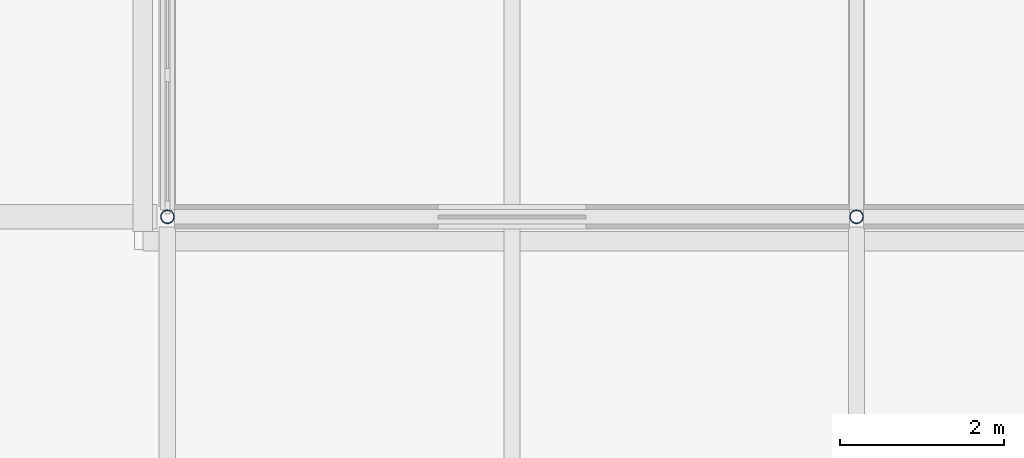
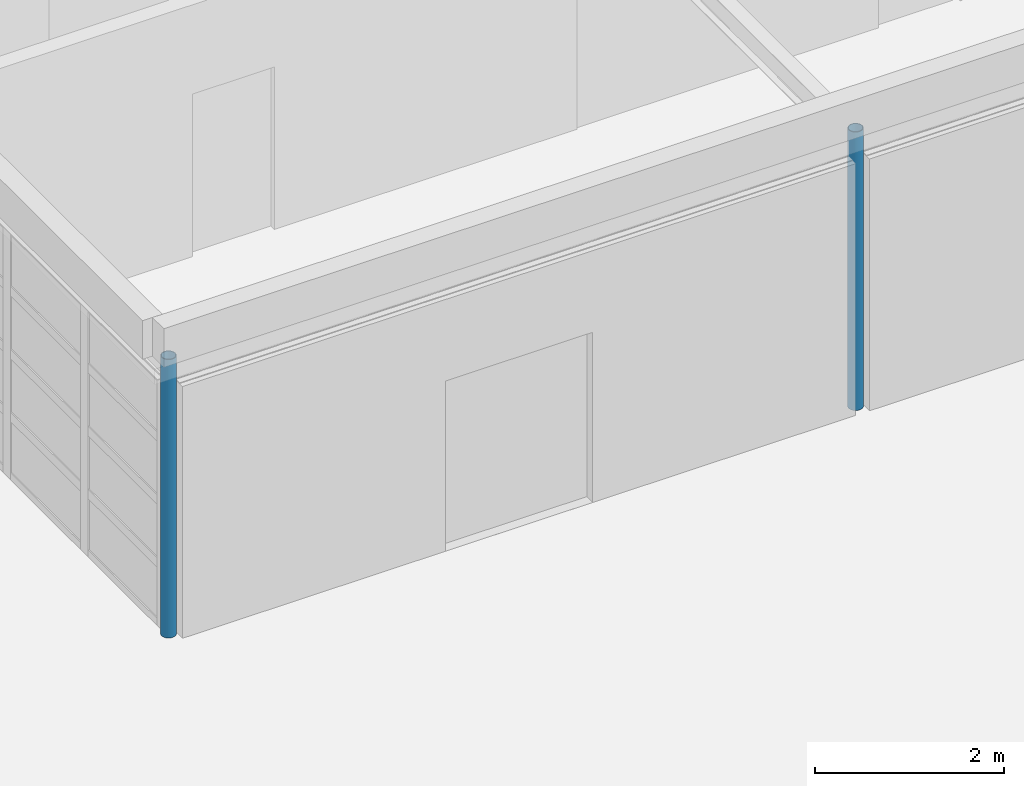
# One storey, part 4 of 51: 2 columns.
"""IFC4 building model written with IfcOpenShell, lengths in metres."""

from ifc_helpers import new_model, si_unit, direction, frame, origin, origin_2d, place, context, subcontext, project, spatial, hollow_circle, extrude, material, material_profile, profile_set, type_object, element, save


model = new_model("IFC4")

# Units and contexts
model_context = context("Model", 3, precision=1e-05, world=origin(), true_north=direction((0.0, 1.0)))
body_context = subcontext(model_context, "Body", "Model", "MODEL_VIEW")
ifc_project = project(units=[si_unit("LENGTHUNIT", "METRE"), si_unit("AREAUNIT", "SQUARE_METRE"), si_unit("VOLUMEUNIT", "CUBIC_METRE"), si_unit("PLANEANGLEUNIT", "RADIAN"), si_unit("MASSUNIT", "GRAM", prefix="KILO")], contexts=[model_context])

# Site, building, storey
site_placement = place(None, origin())
site = spatial("IfcSite", under=ifc_project, at=site_placement, CompositionType="ELEMENT")
building_placement = place(site_placement, origin())
building = spatial("IfcBuilding", under=site, at=building_placement, Name="Cresset Court Congress Hotel", CompositionType="ELEMENT")
storey_placement = place(building_placement, frame((0.0, 0.0, 18.60009765625)))
storey = spatial("IfcBuildingStorey", under=building, at=storey_placement, Name="L04", CompositionType="ELEMENT", Elevation=18.60009765625)

# Columns
ifc_material = material(Name="Structural steel Q355B", Category="steel")
ifc_material_profile = material_profile(ifc_material, hollow_circle(Radius=0.083984375, WallThickness=0.008056640625, at=origin_2d()), Name="CHS168x8")
ifc_profile_set = profile_set([ifc_material_profile], Name="Structural steel Q355B")
column_type = type_object("IfcColumnType", Name="Steel column CHS168x8", PredefinedType="COLUMN", material=ifc_profile_set)
for number, where, z_axis, x_axis, name in (
    (1, (75.60009765625, 8.39990234375, 0.0), (0.0, 0.0, 1.0), (1.0, 0.0, 0.0), "Pavilion column"),
    (2, (84.0, 8.39990234375, 0.0), (0.0, 0.0, 1.0), (1.0, 0.0, 0.0), "Pavilion column"),
):
    element("IfcColumn", number, at=place(storey_placement, frame(where, z_axis=z_axis, x_axis=x_axis)), inside=storey, type_object=column_type, Name=name, PredefinedType="COLUMN", context=body_context, shape_type="SweptSolid", body=[
        extrude(hollow_circle(Radius=0.083984375, WallThickness=0.008056640625, at=origin_2d()), origin(), (0.0, 0.0, 1.0), 3.599853515625),
    ])

save(model, "model.ifc")
